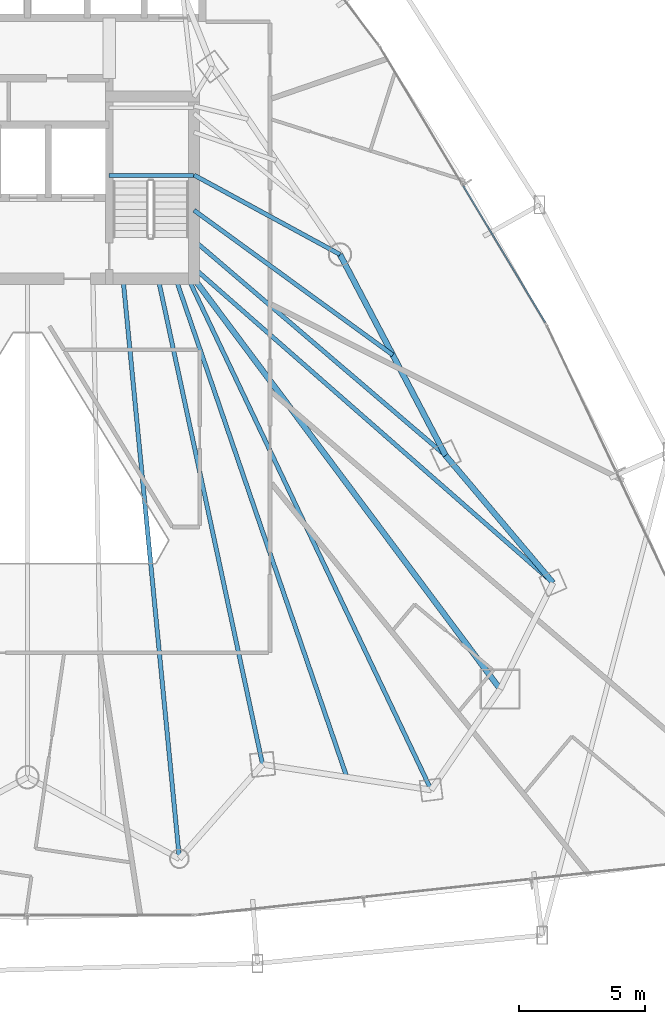
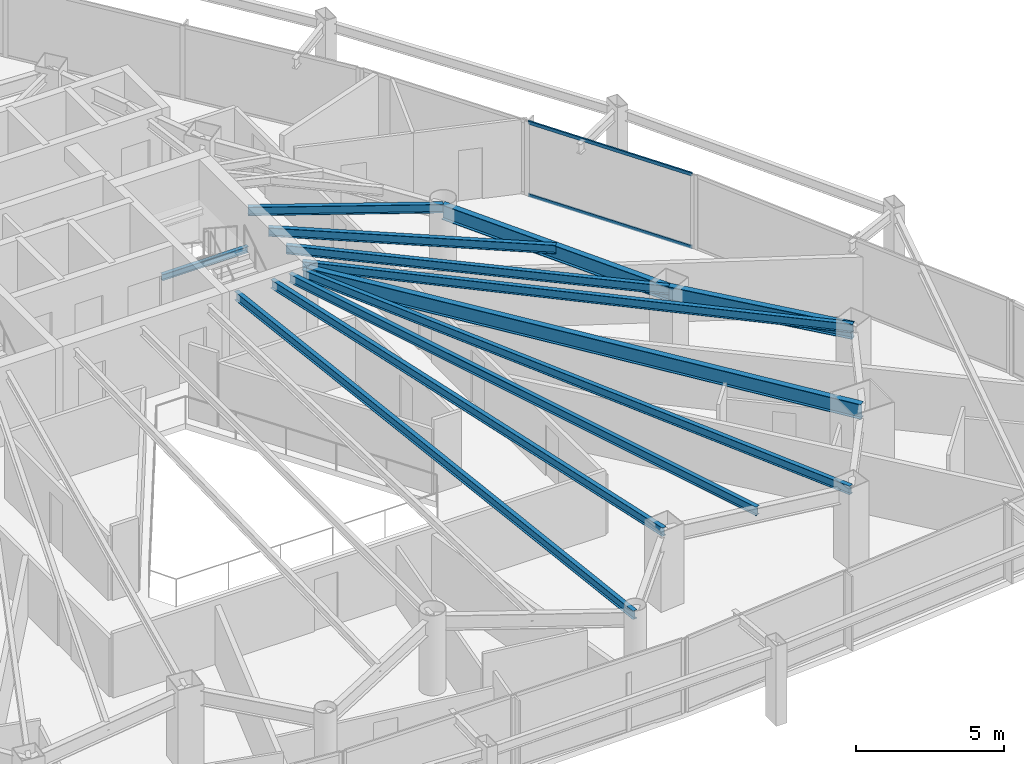
# One storey, part 17 of 35: 12 beams, 2 members, 1 element without a shape of its own.
"""IFC4 building model written with IfcOpenShell, lengths in metres."""

from ifc_helpers import new_model, si_unit, direction, frame, origin, origin_2d, place, context, subcontext, project, spatial, hollow_rectangle, i_section, extrude, material, layer, layer_set, material_profile, profile_set, type_object, element, aggregate, save


model = new_model("IFC4")

# Units and contexts
model_context = context("Model", 3, precision=1e-05, world=origin(), true_north=direction((0.0, 1.0)))
body_context = subcontext(model_context, "Body", "Model", "MODEL_VIEW")
ifc_project = project(units=[si_unit("LENGTHUNIT", "METRE"), si_unit("AREAUNIT", "SQUARE_METRE"), si_unit("VOLUMEUNIT", "CUBIC_METRE"), si_unit("PLANEANGLEUNIT", "RADIAN"), si_unit("MASSUNIT", "GRAM", prefix="KILO")], contexts=[model_context])

# Site, building, storey
site_placement = place(None, origin())
site = spatial("IfcSite", under=ifc_project, at=site_placement, CompositionType="ELEMENT")
building_placement = place(site_placement, origin())
building = spatial("IfcBuilding", under=site, at=building_placement, Name="Orvanel Arch Residences", CompositionType="ELEMENT")
storey_placement = place(building_placement, frame((0.0, 0.0, 33.5)))
storey = spatial("IfcBuildingStorey", under=building, at=storey_placement, Name="L08", CompositionType="ELEMENT", Elevation=33.5)

# Beams
ifc_material_1 = material(Name="Structural steel AS/NZS 3679.1 Grade 300 (300 MPa)", Category="steel")
ifc_material_profile_1 = material_profile(ifc_material_1, i_section(OverallWidth=0.22900390625, OverallDepth=0.612060546875, WebThickness=0.011962890625, FlangeThickness=0.01953125, at=origin_2d()), Name="610UB125")
ifc_profile_set_1 = profile_set([ifc_material_profile_1], Name="Structural steel AS/NZS 3679.1 Grade 300 (300 MPa)")
beam_type_1 = type_object("IfcBeamType", Name="BG-610UB", PredefinedType="BEAM", material=ifc_profile_set_1)
beam_1_placement = place(storey_placement, frame((39.625, 26.675048828125, 2.75390625), z_axis=(0.597893733742, -0.801575375839, 0.0), x_axis=(0.801575375839, 0.597893733742, 0.0)))
element("IfcBeam", 1, at=beam_1_placement, inside=storey, type_object=beam_type_1, Name="L08 South-East Radial Girder", PredefinedType="BEAM", context=body_context, shape_type="SweptSolid", body=[
    extrude(i_section(OverallWidth=0.22900390625, OverallDepth=0.612060546875, WebThickness=0.011962890625, FlangeThickness=0.01953125, at=origin_2d()), origin(), (0.0, 0.0, 1.0), 20.36474609375),
])
ifc_material_profile_2 = material_profile(ifc_material_1, i_section(OverallWidth=0.14599609375, OverallDepth=0.251953125, WebThickness=0.006103515625, FlangeThickness=0.008544921875, at=origin_2d()), Name="250UB31.4")
ifc_profile_set_2 = profile_set([ifc_material_profile_2], Name="Structural steel AS/NZS 3679.1 Grade 300 (300 MPa)")
beam_type_2 = type_object("IfcBeamType", Name="BJ-250UB", PredefinedType="JOIST", material=ifc_profile_set_2)
beam_2_placement = place(storey_placement, frame((36.25, 30.780029296875, 1.323974609375), z_axis=(1.0, 0.0, 0.0), x_axis=(0.0, 1.0, 0.0)))
element("IfcBeam", 2, at=beam_2_placement, inside=storey, type_object=beam_type_2, Name="L08 ST-2 Half-Landing Support Beam 1.1", PredefinedType="JOIST", context=body_context, shape_type="SweptSolid", body=[
    extrude(i_section(OverallWidth=0.14599609375, OverallDepth=0.251953125, WebThickness=0.006103515625, FlangeThickness=0.008544921875, at=origin_2d()), origin(), (0.0, 0.0, 1.0), 3.35009765625),
])
ifc_material_profile_3 = material_profile(ifc_material_1, i_section(OverallWidth=0.1708984375, OverallDepth=0.35595703125, WebThickness=0.00732421875, FlangeThickness=0.011474609375, at=origin_2d()), Name="360UB50.7")
ifc_profile_set_3 = profile_set([ifc_material_profile_3], Name="Structural steel AS/NZS 3679.1 Grade 300 (300 MPa)")
beam_type_3 = type_object("IfcBeamType", Name="BJ-360UB", PredefinedType="JOIST", material=ifc_profile_set_3)
beam_3_placement = place(storey_placement, frame((39.625, 30.800048828125, 2.882080078125), z_axis=(0.878399029914, -0.477927969726, 0.0), x_axis=(0.477927969726, 0.878399029914, 0.0)))
element("IfcBeam", 3, at=beam_3_placement, inside=storey, type_object=beam_type_3, Name="L08 NE Wing Floor Joist", PredefinedType="JOIST", context=body_context, shape_type="SweptSolid", body=[
    extrude(i_section(OverallWidth=0.1708984375, OverallDepth=0.35595703125, WebThickness=0.00732421875, FlangeThickness=0.011474609375, at=origin_2d()), origin(), (0.0, 0.0, 1.0), 6.609619140625),
])
beam_4_placement = place(storey_placement, frame((39.625, 28.199951171875, 2.882080078125), z_axis=(0.760024297953, -0.649894658018, 0.0), x_axis=(0.649894658018, 0.760024297953, 0.0)))
element("IfcBeam", 4, at=beam_4_placement, inside=storey, type_object=beam_type_3, Name="L08 E Wing Floor Joist", PredefinedType="JOIST", context=body_context, shape_type="SweptSolid", body=[
    extrude(i_section(OverallWidth=0.1708984375, OverallDepth=0.35595703125, WebThickness=0.00732421875, FlangeThickness=0.011474609375, at=origin_2d()), origin(), (0.0, 0.0, 1.0), 13.16796875),
])
beam_5_placement = place(storey_placement, frame((38.199951171875, 26.675048828125, 2.882080078125), z_axis=(0.210066515515, -0.977687096703, 0.0), x_axis=(0.977687096703, 0.210066515515, 0.0)))
element("IfcBeam", 5, at=beam_5_placement, inside=storey, type_object=beam_type_3, Name="L08 SE Wing Floor Joist", PredefinedType="JOIST", context=body_context, shape_type="SweptSolid", body=[
    extrude(i_section(OverallWidth=0.1708984375, OverallDepth=0.35595703125, WebThickness=0.00732421875, FlangeThickness=0.011474609375, at=origin_2d()), origin(), (0.0, 0.0, 1.0), 19.760986328125),
])
beam_6_placement = place(storey_placement, frame((39.625, 27.10009765625, 2.882080078125), z_axis=(0.751924114057, -0.659249669472, 0.0), x_axis=(0.659249669472, 0.751924114057, 0.0)))
element("IfcBeam", 6, at=beam_6_placement, inside=storey, type_object=beam_type_3, Name="L08 ME Wing Floor Joist", PredefinedType="JOIST", context=body_context, shape_type="SweptSolid", body=[
    extrude(i_section(OverallWidth=0.1708984375, OverallDepth=0.35595703125, WebThickness=0.00732421875, FlangeThickness=0.011474609375, at=origin_2d()), origin(), (0.0, 0.0, 1.0), 18.9912109375),
])
beam_7_placement = place(storey_placement, frame((39.39990234375, 26.675048828125, 2.882080078125), z_axis=(0.429042657795, -0.903284228686, 0.0), x_axis=(0.903284228686, 0.429042657795, 0.0)))
element("IfcBeam", 7, at=beam_7_placement, inside=storey, type_object=beam_type_3, Name="L08 MSE Wing Floor Joist", PredefinedType="JOIST", context=body_context, shape_type="SweptSolid", body=[
    extrude(i_section(OverallWidth=0.1708984375, OverallDepth=0.35595703125, WebThickness=0.00732421875, FlangeThickness=0.011474609375, at=origin_2d()), origin(), (0.0, 0.0, 1.0), 22.513427734375),
])
beam_8_placement = place(storey_placement, frame((36.800048828125, 26.675048828125, 2.882080078125), z_axis=(0.096724091756, -0.995311232768, 0.0), x_axis=(0.995311232768, 0.096724091756, 0.0)))
element("IfcBeam", 8, at=beam_8_placement, inside=storey, type_object=beam_type_3, Name="L08 LSE Wing Floor Joist", PredefinedType="JOIST", context=body_context, shape_type="SweptSolid", body=[
    extrude(i_section(OverallWidth=0.1708984375, OverallDepth=0.35595703125, WebThickness=0.00732421875, FlangeThickness=0.011474609375, at=origin_2d()), origin(), (0.0, 0.0, 1.0), 23.1787109375),
])
beam_9_placement = place(storey_placement, frame((39.625, 29.39990234375, 2.882080078125), z_axis=(0.808381909511, -0.588658380026, 0.0), x_axis=(0.588658380026, 0.808381909511, 0.0)))
element("IfcBeam", 9, at=beam_9_placement, inside=storey, type_object=beam_type_3, Name="L08 CTE Wing Floor Joist", PredefinedType="JOIST", context=body_context, shape_type="SweptSolid", body=[
    extrude(i_section(OverallWidth=0.1708984375, OverallDepth=0.35595703125, WebThickness=0.00732421875, FlangeThickness=0.011474609375, at=origin_2d()), origin(), (0.0, 0.0, 1.0), 9.78125),
])
beam_10_placement = place(storey_placement, frame((38.89990234375, 26.675048828125, 2.882080078125), z_axis=(0.324621456495, -0.945844019901, 0.0), x_axis=(0.945844019901, 0.324621456495, 0.0)))
element("IfcBeam", 10, at=beam_10_placement, inside=storey, type_object=beam_type_3, Name="L08 JADD2 Wing Floor Joist", PredefinedType="JOIST", context=body_context, shape_type="SweptSolid", body=[
    extrude(i_section(OverallWidth=0.1708984375, OverallDepth=0.35595703125, WebThickness=0.00732421875, FlangeThickness=0.011474609375, at=origin_2d()), origin(), (0.0, 0.0, 1.0), 20.96337890625),
])
ifc_material_profile_4 = material_profile(ifc_material_1, i_section(OverallWidth=0.22900390625, OverallDepth=0.612060546875, WebThickness=0.011962890625, FlangeThickness=0.01953125, at=origin_2d()), Name="610UB125")
ifc_profile_set_4 = profile_set([ifc_material_profile_4], Name="Structural steel AS/NZS 3679.1 Grade 300 (300 MPa)")
beam_type_4 = type_object("IfcBeamType", Name="SP-610UB", PredefinedType="SPANDREL", material=ifc_profile_set_4)
beam_11_placement = place(storey_placement, frame((53.905029296875, 14.580078125, 2.75390625), z_axis=(-0.644950329775, 0.764224490659, 0.0), x_axis=(-0.764224490659, -0.644950329775, 0.0)))
element("IfcBeam", 11, at=beam_11_placement, inside=storey, type_object=beam_type_4, Name="L08 Perimeter Spandrel Beam 12", PredefinedType="SPANDREL", context=body_context, shape_type="SweptSolid", body=[
    extrude(i_section(OverallWidth=0.22900390625, OverallDepth=0.612060546875, WebThickness=0.011962890625, FlangeThickness=0.01953125, at=origin_2d()), origin(), (0.0, 0.0, 1.0), 6.623779296875),
])
beam_12_placement = place(storey_placement, frame((49.633056640625, 19.64208984375, 2.75390625), z_axis=(-0.465064762793, 0.885276660942, 0.0), x_axis=(-0.885276660942, -0.465064762793, 0.0)))
element("IfcBeam", 12, at=beam_12_placement, inside=storey, type_object=beam_type_4, Name="L08 Perimeter Spandrel Beam 13", PredefinedType="SPANDREL", context=body_context, shape_type="SweptSolid", body=[
    extrude(i_section(OverallWidth=0.22900390625, OverallDepth=0.612060546875, WebThickness=0.011962890625, FlangeThickness=0.01953125, at=origin_2d()), origin(), (0.0, 0.0, 1.0), 9.03564453125),
])

# Curtain wall, members
ifc_material_2 = material(Name="Bronze-anodised aluminium AA6063-T6", Category="aluminium")
ifc_layer = layer(ifc_material_2, 0.179931640625)
ifc_layer_set = layer_set([ifc_layer], Name="Bronze-anodised aluminium AA6063-T6")
curtain_wall_type = type_object("IfcCurtainWallType", Name="CW2-LOW-SYS", PredefinedType="NOTDEFINED", material=ifc_layer_set)
curtain_wall_placement = place(storey_placement, origin())
curtain_wall = element("IfcCurtainWall", 13, at=curtain_wall_placement, inside=storey, type_object=curtain_wall_type, Name="L08 CW2-LOW-SYS Unitised Curtain Wall", PredefinedType="NOTDEFINED")
ifc_material_profile_5 = material_profile(ifc_material_2, hollow_rectangle(XDim=0.06005859375, YDim=0.135009765625, WallThickness=0.00390625, at=origin_2d()), Name="ALU135x60x4")
ifc_profile_set_5 = profile_set([ifc_material_profile_5], Name="Bronze-anodised aluminium AA6063-T6")
member_type = type_object("IfcMemberType", Name="TRN-135x60", PredefinedType="USERDEFINED", material=ifc_profile_set_5)
member_1_placement = place(storey_placement, frame((53.592041015625, 24.93896484375, 0.030029296875), z_axis=(-0.514388099447, 0.857557510111, 0.0), x_axis=(-0.857557510111, -0.514388099447, 0.0)))
member_1 = element("IfcMember", 14, at=member_1_placement, type_object=member_type, Name="CW-S2 transom 1.1", ObjectType="TRANSOM", PredefinedType="USERDEFINED", context=body_context, shape_type="SweptSolid", body=[
    extrude(hollow_rectangle(XDim=0.06005859375, YDim=0.135009765625, WallThickness=0.00390625, at=origin_2d()), origin(), (0.0, 0.0, 1.0), 6.336669921875),
])
member_2_placement = place(storey_placement, frame((53.592041015625, 24.93896484375, 3.030029296875), z_axis=(-0.514388099447, 0.857557510111, 0.0), x_axis=(-0.857557510111, -0.514388099447, 0.0)))
member_2 = element("IfcMember", 15, at=member_2_placement, type_object=member_type, Name="CW-S2 transom 1.2", ObjectType="TRANSOM", PredefinedType="USERDEFINED", context=body_context, shape_type="SweptSolid", body=[
    extrude(hollow_rectangle(XDim=0.06005859375, YDim=0.135009765625, WallThickness=0.00390625, at=origin_2d()), origin(), (0.0, 0.0, 1.0), 6.336669921875),
])
aggregate(curtain_wall, [member_1, member_2])

save(model, "model.ifc")
